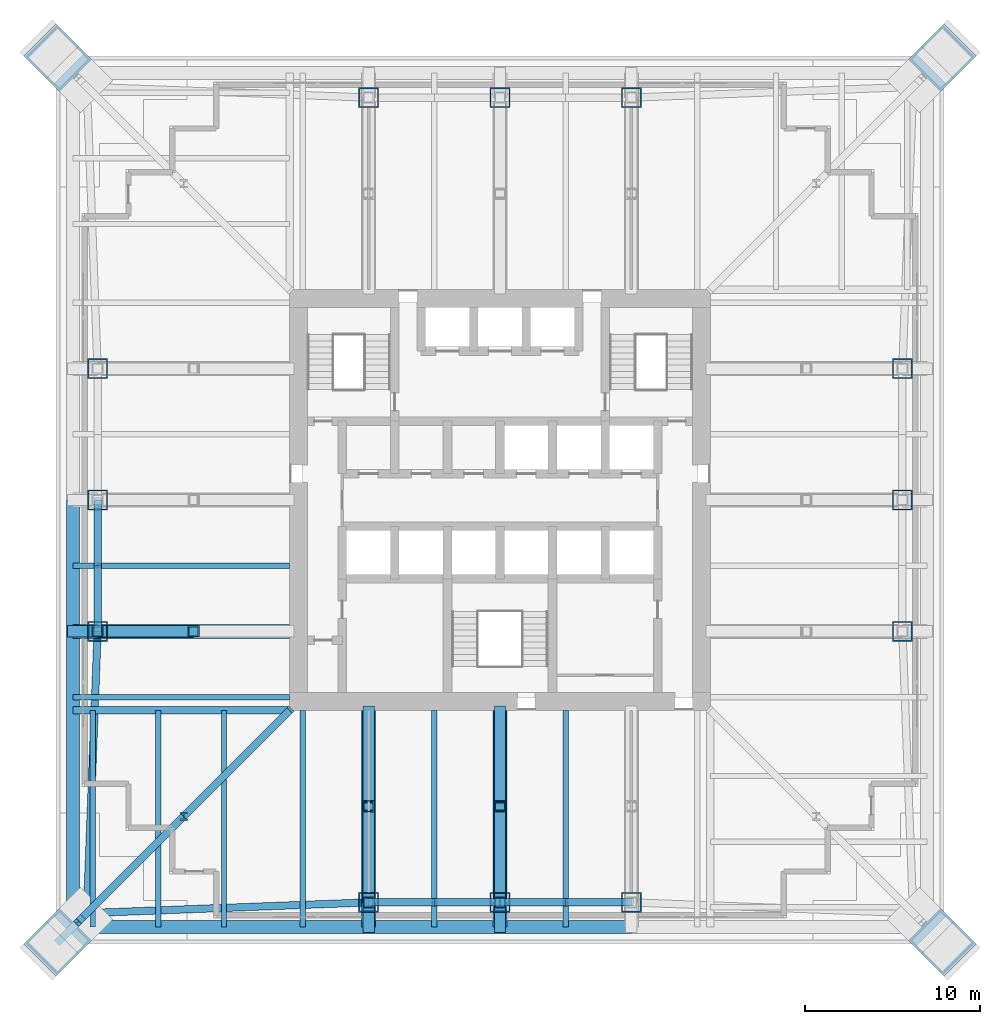
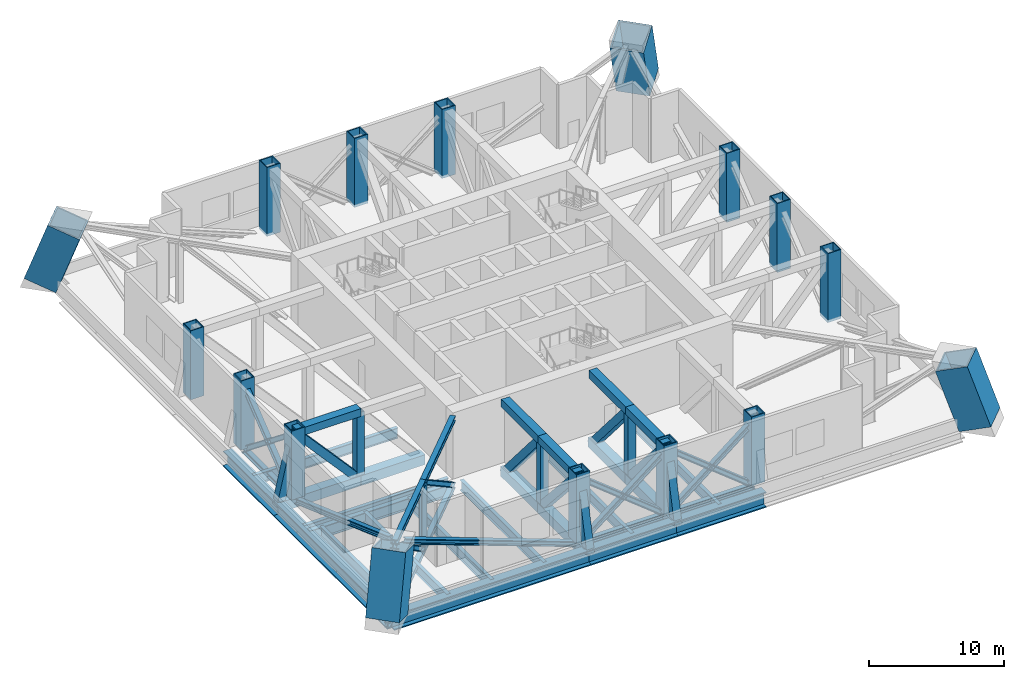
# One storey, part 1 of 10: 49 members, 16 columns, 14 beams.
"""IFC4 building model written with IfcOpenShell, lengths in metres."""

import ifcopenshell
import ifcopenshell.guid

model = None  # the IFC model being written
_history = None  # IfcOwnerHistory: only IFC2X3 demands one
_inside = {}  # id of a spatial element -> (the spatial element, [elements in it])
_under = {}  # id of a project, library or spatial element -> (it, [spatial elements below it])
_declared = {}  # id of a project -> (the project, [libraries it declares])
_typed = {}  # id of a type object -> (the type object, [elements of that type])
_made_of = {}  # id of a material, layer set ... -> (it, [elements and type objects made of it])


def new_model(schema):
    """Start an empty IFC model of exactly this schema.

    Asked for "IFC4X3", IfcOpenShell would pick the latest addendum, in which some entities
    have other attributes; the version numbers below select the first issue.
    IFC2X3 requires an IfcOwnerHistory on every rooted entity: one is made here for all.
    """
    global model, _history
    if schema == "IFC4X3":
        model = ifcopenshell.file(schema_version=(4, 3, 0, 0))
    else:
        model = ifcopenshell.file(schema=schema)
    _inside.clear()
    _under.clear()
    _declared.clear()
    _typed.clear()
    _made_of.clear()
    _history = None
    if model.schema == "IFC2X3":
        org = make("IfcOrganization", Name="unknown")
        user = make(
            "IfcPersonAndOrganization",
            ThePerson=make("IfcPerson", FamilyName="unknown"),
            TheOrganization=org,
        )
        app = make(
            "IfcApplication",
            ApplicationDeveloper=org,
            Version="unknown",
            ApplicationFullName="unknown",
            ApplicationIdentifier="unknown",
        )
        _history = make(
            "IfcOwnerHistory",
            OwningUser=user,
            OwningApplication=app,
            ChangeAction="ADDED",
            CreationDate=0,
        )
    return model


def make(cls, **values):
    """One entity of the class cls with the attributes given. An attribute that is None is left unset."""
    return model.create_entity(
        cls, **{name: value for name, value in values.items() if value is not None}
    )


def rooted(cls, **values):
    """An entity with a GlobalId (a new one), such as an element, a storey or a relation."""
    return make(cls, GlobalId=ifcopenshell.guid.new(), OwnerHistory=_history, **values)


def si_unit(unit_type, name, prefix=None):
    """IfcSIUnit, for example si_unit("LENGTHUNIT", "METRE", prefix="MILLI")."""
    return make("IfcSIUnit", UnitType=unit_type, Prefix=prefix, Name=name)


def assignment(units):
    """IfcUnitAssignment: the units of a project."""
    return None if units is None else make("IfcUnitAssignment", Units=units)


def point(xyz):
    """IfcCartesianPoint."""
    return None if xyz is None else make("IfcCartesianPoint", Coordinates=xyz)


def direction(xyz):
    """IfcDirection."""
    return None if xyz is None else make("IfcDirection", DirectionRatios=xyz)


def frame(location, z_axis=None, x_axis=None):
    """IfcAxis2Placement3D, a coordinate frame: its origin and axes. An axis left out is left unset."""
    return make(
        "IfcAxis2Placement3D",
        Location=point(location),
        Axis=direction(z_axis),
        RefDirection=direction(x_axis),
    )


def frame_2d(location, x_axis=None):
    """IfcAxis2Placement2D, a coordinate frame in the plane: its origin and x axis."""
    return make(
        "IfcAxis2Placement2D", Location=point(location), RefDirection=direction(x_axis)
    )


def origin():
    """The frame at (0, 0, 0) with its axes left unset."""
    return frame((0.0, 0.0, 0.0))


def origin_2d():
    """The frame at (0, 0) in the plane with its x axis left unset."""
    return frame_2d((0.0, 0.0))


def place(relative_to, where):
    """IfcLocalPlacement: puts the frame where relative to a parent placement (None: the world)."""
    return make(
        "IfcLocalPlacement", PlacementRelTo=relative_to, RelativePlacement=where
    )


def context(
    kind, dimensions, precision=None, world=None, true_north=None, identifier=None
):
    """IfcGeometricRepresentationContext, for example the 3D "Model" context."""
    return make(
        "IfcGeometricRepresentationContext",
        ContextIdentifier=identifier,
        ContextType=kind,
        CoordinateSpaceDimension=dimensions,
        Precision=precision,
        WorldCoordinateSystem=world,
        TrueNorth=true_north,
    )


def subcontext(parent, identifier, kind, view, scale=None):
    """IfcGeometricRepresentationSubContext, for example "Body" below "Model"."""
    return make(
        "IfcGeometricRepresentationSubContext",
        ContextIdentifier=identifier,
        ContextType=kind,
        ParentContext=parent,
        TargetScale=scale,
        TargetView=view,
    )


def project(units=None, contexts=None):
    """IfcProject with its units and contexts."""
    return rooted(
        "IfcProject",
        Name="project",
        RepresentationContexts=contexts,
        UnitsInContext=assignment(units),
    )


def spatial(cls, under=None, at=None, **own):
    """A site, building, storey or space (cls), placed at a placement, below another one or the project."""
    s = rooted(cls, ObjectPlacement=at, **own)
    if under is not None:
        _under.setdefault(under.id(), (under, []))[1].append(s)
    return s


def profile(cls, at=None, kind="AREA", **sizes):
    """A parametric profile (cls). Its sizes go by their IFC names, for example OverallWidth=200.0."""
    return make(cls, ProfileType=kind, Position=at, **sizes)


def hollow_rectangle(**sizes):
    """IfcRectangleHollowProfileDef."""
    return profile("IfcRectangleHollowProfileDef", **sizes)


def i_section(**sizes):
    """IfcIShapeProfileDef."""
    return profile("IfcIShapeProfileDef", **sizes)


def extrude(swept, where, along, depth):
    """IfcExtrudedAreaSolid: the profile swept, set in the frame where, extruded along a direction by depth."""
    return make(
        "IfcExtrudedAreaSolid",
        SweptArea=swept,
        Position=where,
        ExtrudedDirection=direction(along),
        Depth=depth,
    )


def clip(a, b, op="DIFFERENCE"):
    """IfcBooleanClippingResult: the solid a cut by the half space b."""
    return make(
        "IfcBooleanClippingResult", Operator=op, FirstOperand=a, SecondOperand=b
    )


def halfspace(plane, agree):
    """IfcHalfSpaceSolid: all space on one side of the plane z = 0 of the frame plane."""
    return make(
        "IfcHalfSpaceSolid",
        BaseSurface=make("IfcPlane", Position=plane),
        AgreementFlag=agree,
    )


def shape(context_of_items, identifier, shape_type, items):
    """IfcShapeRepresentation: the items that make up one representation, for example the "Body"."""
    return make(
        "IfcShapeRepresentation",
        ContextOfItems=context_of_items,
        RepresentationIdentifier=identifier,
        RepresentationType=shape_type,
        Items=items,
    )


def material(Name=None, Category=None):
    """IfcMaterial."""
    return make("IfcMaterial", Name=Name, Category=Category)


def material_profile(
    of_material, cross_section, Name=None, Category=None, Priority=None
):
    """IfcMaterialProfile: a cross section and its material."""
    return make(
        "IfcMaterialProfile",
        Name=Name,
        Material=of_material,
        Profile=cross_section,
        Priority=Priority,
        Category=Category,
    )


def profile_set(profiles, Name=None, composite=None):
    """IfcMaterialProfileSet."""
    return make(
        "IfcMaterialProfileSet",
        Name=Name,
        MaterialProfiles=profiles,
        CompositeProfile=composite,
    )


def made_of(thing, what):
    """Note that an element or type object is made of a material, layer set ...; save() writes the relation."""
    if what is not None:
        _made_of.setdefault(what.id(), (what, []))[1].append(thing)
    return thing


def type_object(cls, material=None, **own):
    """A type object (cls), such as IfcWallType, which elements share."""
    return made_of(rooted(cls, **own), material)


def element(
    cls,
    number,
    at=None,
    inside=None,
    cuts=None,
    type_object=None,
    material=None,
    context=None,
    identifier="Body",
    shape_type=None,
    held_by="IfcProductDefinitionShape",
    body=None,
    shapes=None,
    **own,
):
    """One element of the class cls, such as IfcWall. Its Tag is "e" and its number.

    at: its placement. inside: the storey or other place that contains it. cuts: it is an
    opening in that element (IfcRelVoidsElement). A single representation is given by context,
    identifier, shape_type and body (its items); several are given by shapes. held_by: the class
    of the entity that holds the representations. save() writes the other relations.
    """
    e = rooted(cls, Tag="e%d" % number, ObjectPlacement=at, **own)
    if body is not None:
        shapes = [shape(context, identifier, shape_type, body)]
    if shapes is not None:
        e.Representation = make(held_by, Representations=shapes)
    if inside is not None:
        _inside.setdefault(inside.id(), (inside, []))[1].append(e)
    if cuts is not None:
        rooted(
            "IfcRelVoidsElement", RelatingBuildingElement=cuts, RelatedOpeningElement=e
        )
    if type_object is not None:
        _typed.setdefault(type_object.id(), (type_object, []))[1].append(e)
    return made_of(e, material)


def aggregate(whole, parts):
    """IfcRelAggregates: a whole, such as a stair, and the parts it consists of."""
    return rooted("IfcRelAggregates", RelatingObject=whole, RelatedObjects=parts)


def save(model, path):
    """Write the relations noted so far, then the file.

    IfcRelAggregates (storeys below a building ...), IfcRelContainedInSpatialStructure (elements
    in a storey), IfcRelDefinesByType, IfcRelAssociatesMaterial and IfcRelDeclares: one each for
    every whole, place, type object, material and project.
    """
    for whole, parts in _under.values():
        aggregate(whole, parts)
    for where, things in _inside.values():
        rooted(
            "IfcRelContainedInSpatialStructure",
            RelatedElements=things,
            RelatingStructure=where,
        )
    for kind, things in _typed.values():
        rooted("IfcRelDefinesByType", RelatedObjects=things, RelatingType=kind)
    for what, things in _made_of.values():
        rooted("IfcRelAssociatesMaterial", RelatedObjects=things, RelatingMaterial=what)
    for by, libraries in _declared.values():
        rooted("IfcRelDeclares", RelatingContext=by, RelatedDefinitions=libraries)
    model.write(path)


model = new_model("IFC4")

# Units and contexts
model_context = context("Model", 3, precision=1e-05, world=origin(), true_north=direction((0.0, 1.0)))
body_context = subcontext(model_context, "Body", "Model", "MODEL_VIEW")
ifc_project = project(units=[si_unit("LENGTHUNIT", "METRE"), si_unit("AREAUNIT", "SQUARE_METRE"), si_unit("VOLUMEUNIT", "CUBIC_METRE"), si_unit("PLANEANGLEUNIT", "RADIAN"), si_unit("MASSUNIT", "GRAM", prefix="KILO")], contexts=[model_context])

# Site, building, storey
site_placement = place(None, origin())
site = spatial("IfcSite", under=ifc_project, at=site_placement, CompositionType="ELEMENT")
building_placement = place(site_placement, origin())
building = spatial("IfcBuilding", under=site, at=building_placement, Name="Tarangal Relay Tower", CompositionType="ELEMENT")
storey_placement = place(building_placement, frame((0.0, 0.0, 98.39990234375)))
storey = spatial("IfcBuildingStorey", under=building, at=storey_placement, Name="L19", CompositionType="ELEMENT", Elevation=98.39990234375)

# Columns
ifc_material_1 = material(Name="Steel ASTM A572 Grade 42", Category="steel")
ifc_material_profile_1 = material_profile(ifc_material_1, hollow_rectangle(XDim=2.60009765625, YDim=2.60009765625, WallThickness=0.1298828125, at=origin_2d()), Name="BOX2600X2600X130")
ifc_profile_set_1 = profile_set([ifc_material_profile_1], Name="Steel ASTM A572 Grade 42")
column_type_1 = type_object("IfcColumnType", Name="Mega column BOX2600X2600X130", PredefinedType="COLUMN", material=ifc_profile_set_1)
for number, where, z_axis, x_axis, name in (
    (1, (25.5, 25.5, 0.0), (-0.235702260396, -0.235702260396, 0.942809041582), (0.707106781187, -0.707106781187, 0.0), "Mega column MC2 NE L19"),
    (2, (25.5, -25.5, 0.0), (-0.235702260396, 0.235702260396, 0.942809041582), (-0.707106781187, -0.707106781187, 0.0), "Mega column MC2 SE L19"),
    (3, (-25.5, -25.5, 0.0), (0.235702260396, 0.235702260396, 0.942809041582), (-0.707106781187, 0.707106781187, 0.0), "Mega column MC2 SW L19"),
    (4, (-25.5, 25.5, 0.0), (0.235702260396, -0.235702260396, 0.942809041582), (0.707106781187, 0.707106781187, 0.0), "Mega column MC2 NW L19"),
):
    element("IfcColumn", number, at=place(storey_placement, frame(where, z_axis=z_axis, x_axis=x_axis)), inside=storey, type_object=column_type_1, Name=name, PredefinedType="COLUMN", context=body_context, shape_type="Clipping", body=[
        clip(clip(extrude(hollow_rectangle(XDim=2.60009765625, YDim=2.60009765625, WallThickness=0.1298828125, at=origin_2d()), origin(), (0.0, 0.0, 1.0), 6.364013671875), halfspace(frame((0.0, 0.0, 0.460205078125)), True)), halfspace(frame((0.0, 0.0, 5.90380859375)), False)),
    ])
ifc_material_2 = material(Name="Steel ASTM A572 Grade 50", Category="steel")
ifc_material_profile_2 = material_profile(ifc_material_2, hollow_rectangle(XDim=1.14990234375, YDim=1.14990234375, WallThickness=0.074951171875, at=origin_2d()), Name="BOX1150X1150X75")
ifc_profile_set_2 = profile_set([ifc_material_profile_2], Name="Steel ASTM A572 Grade 50")
column_type_2 = type_object("IfcColumnType", Name="Perimeter column BOX1150X1150X75", PredefinedType="COLUMN", material=ifc_profile_set_2)
for number, where, z_axis, x_axis, name in (
    (5, (-7.5, 22.965087890625, -0.25), (0.0, 0.0, 1.0), (1.0, 0.0, 0.0), "Perimeter column PC3 N L19"),
    (6, (0.0, 22.965087890625, -0.25), (0.0, 0.0, 1.0), (1.0, 0.0, 0.0), "Perimeter column PC3 N L19"),
    (7, (7.5, 22.965087890625, -0.25), (0.0, 0.0, 1.0), (1.0, 0.0, 0.0), "Perimeter column PC3 N L19"),
    (8, (22.965087890625, 7.5, -0.25), (0.0, 0.0, 1.0), (1.0, 0.0, 0.0), "Perimeter column PC3 E L19"),
    (9, (22.965087890625, 0.0, -0.25), (0.0, 0.0, 1.0), (1.0, 0.0, 0.0), "Perimeter column PC3 E L19"),
    (10, (22.965087890625, -7.5, -0.25), (0.0, 0.0, 1.0), (1.0, 0.0, 0.0), "Perimeter column PC3 E L19"),
    (11, (7.5, -22.965087890625, -0.25), (0.0, 0.0, 1.0), (1.0, 0.0, 0.0), "Perimeter column PC3 S L19"),
    (12, (0.0, -22.965087890625, -0.25), (0.0, 0.0, 1.0), (1.0, 0.0, 0.0), "Perimeter column PC3 S L19"),
    (13, (-7.5, -22.965087890625, -0.25), (0.0, 0.0, 1.0), (1.0, 0.0, 0.0), "Perimeter column PC3 S L19"),
    (14, (-22.965087890625, -7.5, -0.25), (0.0, 0.0, 1.0), (1.0, 0.0, 0.0), "Perimeter column PC3 W L19"),
    (15, (-22.965087890625, 0.0, -0.25), (0.0, 0.0, 1.0), (1.0, 0.0, 0.0), "Perimeter column PC3 W L19"),
    (16, (-22.965087890625, 7.5, -0.25), (0.0, 0.0, 1.0), (1.0, 0.0, 0.0), "Perimeter column PC3 W L19"),
):
    element("IfcColumn", number, at=place(storey_placement, frame(where, z_axis=z_axis, x_axis=x_axis)), inside=storey, type_object=column_type_2, Name=name, PredefinedType="COLUMN", context=body_context, shape_type="SweptSolid", body=[
        extrude(hollow_rectangle(XDim=1.14990234375, YDim=1.14990234375, WallThickness=0.074951171875, at=origin_2d()), origin(), (0.0, 0.0, 1.0), 6.25),
    ])

# Members
ifc_material_3 = material(Name="Steel ASTM A992", Category="steel")
ifc_material_profile_3 = material_profile(ifc_material_3, i_section(OverallWidth=0.419189453125, OverallDepth=0.45458984375, WebThickness=0.042236328125, FlangeThickness=0.067626953125, at=origin_2d()), Name="W14X370")
ifc_profile_set_3 = profile_set([ifc_material_profile_3], Name="Steel ASTM A992")
member_type_1 = type_object("IfcMemberType", Name="Belt truss brace W14X370", PredefinedType="BRACE", material=ifc_profile_set_3)
for number, where, z_axis, x_axis, name in (
    (17, (7.5, -22.965087890625, -0.699951171875), (-0.782630390083, 0.0, 0.622486684612), (0.0, -1.0, 0.0), "Belt truss S L19 brace"),
    (18, (3.75, -22.965087890625, 2.28271484375), (-0.782630390083, 0.0, 0.622486684612), (0.0, -1.0, 0.0), "Belt truss S L19 brace"),
    (19, (0.0, -22.965087890625, -0.699951171875), (0.782630390083, 0.0, 0.622486684612), (0.0, 1.0, 0.0), "Belt truss S L19 brace"),
    (20, (3.75, -22.965087890625, 2.28271484375), (0.782630390083, 0.0, 0.622486684612), (0.0, 1.0, 0.0), "Belt truss S L19 brace"),
    (21, (0.0, -22.965087890625, -0.699951171875), (-0.782630390083, 0.0, 0.622486684612), (0.0, -1.0, 0.0), "Belt truss S L19 brace"),
    (22, (-3.75, -22.965087890625, 2.28271484375), (-0.782630390083, 0.0, 0.622486684612), (0.0, -1.0, 0.0), "Belt truss S L19 brace"),
    (23, (-7.5, -22.965087890625, -0.699951171875), (0.782630390083, 0.0, 0.622486684612), (0.0, 1.0, 0.0), "Belt truss S L19 brace"),
    (24, (-3.75, -22.965087890625, 2.28271484375), (0.782630390083, 0.0, 0.622486684612), (0.0, 1.0, 0.0), "Belt truss S L19 brace"),
):
    element("IfcMember", number, at=place(storey_placement, frame(where, z_axis=z_axis, x_axis=x_axis)), inside=storey, type_object=member_type_1, Name=name, PredefinedType="BRACE", context=body_context, shape_type="SweptSolid", body=[
        extrude(i_section(OverallWidth=0.419189453125, OverallDepth=0.45458984375, WebThickness=0.042236328125, FlangeThickness=0.067626953125, at=origin_2d()), origin(), (0.0, 0.0, 1.0), 4.79150390625),
    ])
member_1_placement = place(storey_placement, frame((-7.5, -22.965087890625, -0.699951171875), z_axis=(-0.931502338088, -0.035497655661, 0.36199904776), x_axis=(0.038080321546, -0.999274681512, 0.0)))
element("IfcMember", 25, at=member_1_placement, inside=storey, type_object=member_type_1, Name="Belt truss S L19 end brace", PredefinedType="BRACE", context=body_context, shape_type="SweptSolid", body=[
    extrude(i_section(OverallWidth=0.419189453125, OverallDepth=0.45458984375, WebThickness=0.042236328125, FlangeThickness=0.067626953125, at=origin_2d()), origin(), (0.0, 0.0, 1.0), 16.478759765625),
])
for number, where, z_axis, x_axis, name in (
    (26, (-22.965087890625, -7.5, -0.699951171875), (0.0, 0.782630390083, 0.622486684612), (-1.0, 0.0, 0.0), "Belt truss W L19 brace"),
    (27, (-22.965087890625, -3.75, 2.28271484375), (0.0, 0.782630390083, 0.622486684612), (-1.0, 0.0, 0.0), "Belt truss W L19 brace"),
    (28, (-22.965087890625, 0.0, -0.699951171875), (0.0, -0.782630390083, 0.622486684612), (1.0, 0.0, 0.0), "Belt truss W L19 brace"),
    (29, (-22.965087890625, -3.75, 2.28271484375), (0.0, -0.782630390083, 0.622486684612), (1.0, 0.0, 0.0), "Belt truss W L19 brace"),
):
    element("IfcMember", number, at=place(storey_placement, frame(where, z_axis=z_axis, x_axis=x_axis)), inside=storey, type_object=member_type_1, Name=name, PredefinedType="BRACE", context=body_context, shape_type="SweptSolid", body=[
        extrude(i_section(OverallWidth=0.419189453125, OverallDepth=0.45458984375, WebThickness=0.042236328125, FlangeThickness=0.067626953125, at=origin_2d()), origin(), (0.0, 0.0, 1.0), 4.79150390625),
    ])
member_2_placement = place(storey_placement, frame((-22.965087890625, -7.5, -0.699951171875), z_axis=(-0.035497655661, -0.931502338088, 0.36199904776), x_axis=(0.999274681512, -0.038080321546, 0.0)))
element("IfcMember", 30, at=member_2_placement, inside=storey, type_object=member_type_1, Name="Belt truss W L19 end brace", PredefinedType="BRACE", context=body_context, shape_type="SweptSolid", body=[
    extrude(i_section(OverallWidth=0.419189453125, OverallDepth=0.45458984375, WebThickness=0.042236328125, FlangeThickness=0.067626953125, at=origin_2d()), origin(), (0.0, 0.0, 1.0), 16.478759765625),
])
ifc_material_profile_4 = material_profile(ifc_material_3, i_section(OverallWidth=0.421630859375, OverallDepth=0.46484375, WebThickness=0.044921875, FlangeThickness=0.072509765625, at=origin_2d()), Name="W14X398")
ifc_profile_set_4 = profile_set([ifc_material_profile_4], Name="Steel ASTM A992")
member_type_2 = type_object("IfcMemberType", Name="Belt truss chord W14X398", PredefinedType="CHORD", material=ifc_profile_set_4)
for number, where, z_axis, x_axis, name in (
    (31, (7.5, -22.965087890625, -0.699951171875), (-1.0, 0.0, 0.0), (0.0, -1.0, 0.0), "Belt truss S L19 bottom chord"),
    (32, (0.0, -22.965087890625, -0.699951171875), (-1.0, 0.0, 0.0), (0.0, -1.0, 0.0), "Belt truss S L19 bottom chord"),
    (33, (-22.965087890625, -7.5, -0.699951171875), (0.0, 1.0, 0.0), (-1.0, 0.0, 0.0), "Belt truss W L19 bottom chord"),
):
    element("IfcMember", number, at=place(storey_placement, frame(where, z_axis=z_axis, x_axis=x_axis)), inside=storey, type_object=member_type_2, Name=name, PredefinedType="CHORD", context=body_context, shape_type="SweptSolid", body=[
        extrude(i_section(OverallWidth=0.421630859375, OverallDepth=0.46484375, WebThickness=0.044921875, FlangeThickness=0.072509765625, at=origin_2d()), origin(), (0.0, 0.0, 1.0), 7.5),
    ])

# Beams
ifc_material_profile_5 = material_profile(ifc_material_3, i_section(OverallWidth=0.3046875, OverallDepth=0.911865234375, WebThickness=0.015869140625, FlangeThickness=0.02392578125, at=origin_2d()), Name="W36X150")
ifc_profile_set_5 = profile_set([ifc_material_profile_5], Name="Steel ASTM A992")
beam_type_1 = type_object("IfcBeamType", Name="Corner beam W36X150", PredefinedType="JOIST", material=ifc_profile_set_5)
for number, where, z_axis, x_axis, name in (
    (34, (-15.75, -12.0, -0.705810546875), (0.0, -1.0, 0.0), (1.0, 0.0, 0.0), "Corner beam CB7 S L19"),
    (35, (-19.5, -12.0, -0.705810546875), (0.0, -1.0, 0.0), (1.0, 0.0, 0.0), "Corner beam CB7 S L19"),
    (36, (-23.25, -12.0, -0.705810546875), (0.0, -1.0, 0.0), (1.0, 0.0, 0.0), "Corner beam CB7 S L19"),
):
    element("IfcBeam", number, at=place(storey_placement, frame(where, z_axis=z_axis, x_axis=x_axis)), inside=storey, type_object=beam_type_1, Name=name, PredefinedType="JOIST", context=body_context, shape_type="SweptSolid", body=[
        extrude(i_section(OverallWidth=0.3046875, OverallDepth=0.911865234375, WebThickness=0.015869140625, FlangeThickness=0.02392578125, at=origin_2d()), origin(), (0.0, 0.0, 1.0), 12.364990234375),
    ])
ifc_material_profile_6 = material_profile(ifc_material_3, i_section(OverallWidth=0.40380859375, OverallDepth=1.036376953125, WebThickness=0.031005859375, FlangeThickness=0.0458984375, at=origin_2d()), Name="W40X331")
ifc_profile_set_6 = profile_set([ifc_material_profile_6], Name="Steel ASTM A992")
beam_type_2 = type_object("IfcBeamType", Name="Corner girder W40X331", PredefinedType="BEAM", material=ifc_profile_set_6)
beam_1_placement = place(storey_placement, frame((-12.0, -12.0, -0.76806640625), z_axis=(-1.0, 0.0, 0.0), x_axis=(0.0, -1.0, 0.0)))
element("IfcBeam", 37, at=beam_1_placement, inside=storey, type_object=beam_type_2, Name="Corner girder CG2 S L19", PredefinedType="BEAM", context=body_context, shape_type="SweptSolid", body=[
    extrude(i_section(OverallWidth=0.40380859375, OverallDepth=1.036376953125, WebThickness=0.031005859375, FlangeThickness=0.0458984375, at=origin_2d()), origin(), (0.0, 0.0, 1.0), 12.364990234375),
])
ifc_material_profile_7 = material_profile(ifc_material_2, i_section(OverallWidth=0.75, OverallDepth=1.39990234375, WebThickness=0.030029296875, FlangeThickness=0.10009765625, at=origin_2d()), Name="PG1400X750X100X30")
ifc_profile_set_7 = profile_set([ifc_material_profile_7], Name="Steel ASTM A572 Grade 50")
beam_type_3 = type_object("IfcBeamType", Name="Edge girder PG1400X750X100X30", PredefinedType="SPANDREL", material=ifc_profile_set_7)
for number, where, z_axis, x_axis, name in (
    (38, (7.5, -24.364990234375, -0.949951171875), (-1.0, 0.0, 0.0), (0.0, -1.0, 0.0), "Edge girder EG11 S L19"),
    (39, (0.0, -24.364990234375, -0.949951171875), (-1.0, 0.0, 0.0), (0.0, -1.0, 0.0), "Edge girder EG11 S L19"),
):
    element("IfcBeam", number, at=place(storey_placement, frame(where, z_axis=z_axis, x_axis=x_axis)), inside=storey, type_object=beam_type_3, Name=name, PredefinedType="SPANDREL", context=body_context, shape_type="SweptSolid", body=[
        extrude(i_section(OverallWidth=0.75, OverallDepth=1.39990234375, WebThickness=0.030029296875, FlangeThickness=0.10009765625, at=origin_2d()), origin(), (0.0, 0.0, 1.0), 7.5),
    ])
for number, where, z_axis, x_axis, name in (
    (40, (-7.5, -24.364990234375, -0.949951171875), (-1.0, 0.0, 0.0), (0.0, -1.0, 0.0), "Edge girder EG11 S L19"),
    (41, (-24.364990234375, -24.35009765625, -0.949951171875), (0.0, 1.0, 0.0), (-1.0, 0.0, 0.0), "Edge girder EG11 W L19"),
):
    element("IfcBeam", number, at=place(storey_placement, frame(where, z_axis=z_axis, x_axis=x_axis)), inside=storey, type_object=beam_type_3, Name=name, PredefinedType="SPANDREL", context=body_context, shape_type="SweptSolid", body=[
        extrude(i_section(OverallWidth=0.75, OverallDepth=1.39990234375, WebThickness=0.030029296875, FlangeThickness=0.10009765625, at=origin_2d()), origin(), (0.0, 0.0, 1.0), 16.85009765625),
    ])
beam_2_placement = place(storey_placement, frame((-24.364990234375, -7.5, -0.949951171875), z_axis=(0.0, 1.0, 0.0), x_axis=(-1.0, 0.0, 0.0)))
element("IfcBeam", 42, at=beam_2_placement, inside=storey, type_object=beam_type_3, Name="Edge girder EG11 W L19", PredefinedType="SPANDREL", context=body_context, shape_type="SweptSolid", body=[
    extrude(i_section(OverallWidth=0.75, OverallDepth=1.39990234375, WebThickness=0.030029296875, FlangeThickness=0.10009765625, at=origin_2d()), origin(), (0.0, 0.0, 1.0), 7.5),
])
ifc_material_profile_8 = material_profile(ifc_material_3, i_section(OverallWidth=0.307373046875, OverallDepth=0.927001953125, WebThickness=0.019287109375, FlangeThickness=0.031982421875, at=origin_2d()), Name="W36X194")
ifc_profile_set_8 = profile_set([ifc_material_profile_8], Name="Steel ASTM A992")
beam_type_4 = type_object("IfcBeamType", Name="Floor beam W36X194", PredefinedType="BEAM", material=ifc_profile_set_8)
for number, where, z_axis, x_axis, name in (
    (43, (3.75, -12.0, -0.71337890625), (0.0, -1.0, 0.0), (1.0, 0.0, 0.0), "Floor beam RB6 S L19"),
    (44, (-3.75, -12.0, -0.71337890625), (0.0, -1.0, 0.0), (1.0, 0.0, 0.0), "Floor beam RB6 S L19"),
    (45, (-11.25, -12.0, -0.71337890625), (0.0, -1.0, 0.0), (1.0, 0.0, 0.0), "Floor beam RB6 S L19"),
    (46, (-12.0, -11.25, -0.71337890625), (-1.0, 0.0, 0.0), (0.0, -1.0, 0.0), "Floor beam RB6 W L19"),
    (47, (-12.0, -3.75, -0.71337890625), (-1.0, 0.0, 0.0), (0.0, -1.0, 0.0), "Floor beam RB6 W L19"),
):
    element("IfcBeam", number, at=place(storey_placement, frame(where, z_axis=z_axis, x_axis=x_axis)), inside=storey, type_object=beam_type_4, Name=name, PredefinedType="BEAM", context=body_context, shape_type="SweptSolid", body=[
        extrude(i_section(OverallWidth=0.307373046875, OverallDepth=0.927001953125, WebThickness=0.019287109375, FlangeThickness=0.031982421875, at=origin_2d()), origin(), (0.0, 0.0, 1.0), 12.364990234375),
    ])

# Members
ifc_material_profile_9 = material_profile(ifc_material_3, i_section(OverallWidth=0.4267578125, OverallDepth=0.482666015625, WebThickness=0.05126953125, FlangeThickness=0.08154296875, at=origin_2d()), Name="W14X455")
ifc_profile_set_9 = profile_set([ifc_material_profile_9], Name="Steel ASTM A992")
member_type_3 = type_object("IfcMemberType", Name="Outrigger chord W14X455", PredefinedType="CHORD", material=ifc_profile_set_9)
member_3_placement = place(storey_placement, frame((-12.0, -12.0, -0.4912109375), z_axis=(-0.707106781187, -0.707106781187, 0.0), x_axis=(0.707106781187, -0.707106781187, 0.0)))
element("IfcMember", 48, at=member_3_placement, inside=storey, type_object=member_type_3, Name="Outrigger SW L19 bottom chord", PredefinedType="CHORD", context=body_context, shape_type="SweptSolid", body=[
    extrude(i_section(OverallWidth=0.4267578125, OverallDepth=0.482666015625, WebThickness=0.05126953125, FlangeThickness=0.08154296875, at=origin_2d()), origin(), (0.0, 0.0, 1.0), 8.563232421875),
])
member_4_placement = place(storey_placement, frame((-18.05517578125, -18.05517578125, -0.4912109375), z_axis=(-0.707106781187, -0.707106781187, 0.0), x_axis=(0.707106781187, -0.707106781187, 0.0)))
element("IfcMember", 49, at=member_4_placement, inside=storey, type_object=member_type_3, Name="Outrigger SW L19 bottom chord", PredefinedType="CHORD", context=body_context, shape_type="Clipping", body=[
    clip(extrude(i_section(OverallWidth=0.4267578125, OverallDepth=0.482666015625, WebThickness=0.05126953125, FlangeThickness=0.08154296875, at=origin_2d()), origin(), (0.0, 0.0, 1.0), 10.528564453125), halfspace(frame((0.0, 0.0, 10.23046875)), False)),
])
member_5_placement = place(storey_placement, frame((-12.0, -12.0, 5.558837890625), z_axis=(-0.707106781187, -0.707106781187, 0.0), x_axis=(0.707106781187, -0.707106781187, 0.0)))
element("IfcMember", 50, at=member_5_placement, inside=storey, type_object=member_type_3, Name="Outrigger SW L19 top chord", PredefinedType="CHORD", context=body_context, shape_type="SweptSolid", body=[
    extrude(i_section(OverallWidth=0.4267578125, OverallDepth=0.482666015625, WebThickness=0.05126953125, FlangeThickness=0.08154296875, at=origin_2d()), origin(), (0.0, 0.0, 1.0), 8.563232421875),
])
member_6_placement = place(storey_placement, frame((-18.05517578125, -18.05517578125, 5.558837890625), z_axis=(-0.707106781187, -0.707106781187, 0.0), x_axis=(0.707106781187, -0.707106781187, 0.0)))
element("IfcMember", 51, at=member_6_placement, inside=storey, type_object=member_type_3, Name="Outrigger SW L19 top chord", PredefinedType="CHORD", context=body_context, shape_type="Clipping", body=[
    clip(extrude(i_section(OverallWidth=0.4267578125, OverallDepth=0.482666015625, WebThickness=0.05126953125, FlangeThickness=0.08154296875, at=origin_2d()), origin(), (0.0, 0.0, 1.0), 8.563232421875), halfspace(frame((0.0, 0.0, 8.109130859375)), False)),
])
ifc_material_profile_10 = material_profile(ifc_material_3, i_section(OverallWidth=0.41650390625, OverallDepth=0.444580078125, WebThickness=0.0390625, FlangeThickness=0.062744140625, at=origin_2d()), Name="W14X342")
ifc_profile_set_10 = profile_set([ifc_material_profile_10], Name="Steel ASTM A992")
member_type_4 = type_object("IfcMemberType", Name="Outrigger web W14X342", PredefinedType="STRUT", material=ifc_profile_set_10)
member_7_placement = place(storey_placement, frame((-18.05517578125, -18.05517578125, -0.4912109375), z_axis=(0.0, 0.0, 1.0), x_axis=(1.0, 0.0, 0.0)))
element("IfcMember", 52, at=member_7_placement, inside=storey, type_object=member_type_4, Name="Outrigger SW L19 vertical", PredefinedType="STRUT", context=body_context, shape_type="SweptSolid", body=[
    extrude(i_section(OverallWidth=0.41650390625, OverallDepth=0.444580078125, WebThickness=0.0390625, FlangeThickness=0.062744140625, at=origin_2d()), origin(), (0.0, 0.0, 1.0), 6.050048828125),
])
for number, where, z_axis, x_axis, name in (
    (53, (-12.0, -12.0, -0.4912109375), (-0.577513217792, -0.577513217792, 0.577024233937), (0.707106781187, -0.707106781187, 0.0), "Outrigger SW L19 diagonal"),
    (54, (-18.05517578125, -18.05517578125, -0.4912109375), (-0.577513217792, -0.577513217792, 0.577024233937), (0.707106781187, -0.707106781187, 0.0), "Outrigger SW L19 diagonal"),
):
    element("IfcMember", number, at=place(storey_placement, frame(where, z_axis=z_axis, x_axis=x_axis)), inside=storey, type_object=member_type_4, Name=name, PredefinedType="STRUT", context=body_context, shape_type="SweptSolid", body=[
        extrude(i_section(OverallWidth=0.41650390625, OverallDepth=0.444580078125, WebThickness=0.0390625, FlangeThickness=0.062744140625, at=origin_2d()), origin(), (0.0, 0.0, 1.0), 10.48486328125),
    ])
ifc_material_profile_11 = material_profile(ifc_material_1, hollow_rectangle(XDim=0.800048828125, YDim=0.89990234375, WallThickness=0.125, at=origin_2d()), Name="BOX900X800X125")
ifc_profile_set_11 = profile_set([ifc_material_profile_11], Name="Steel ASTM A572 Grade 42")
member_type_5 = type_object("IfcMemberType", Name="Transfer truss chord BOX900X800X125", PredefinedType="CHORD", material=ifc_profile_set_11)
member_8_placement = place(storey_placement, frame((0.0, -12.0, -0.699951171875), z_axis=(0.0, -1.0, 0.0), x_axis=(1.0, 0.0, 0.0)))
element("IfcMember", 55, at=member_8_placement, inside=storey, type_object=member_type_5, Name="Transfer truss S +0.0 L19 bottom chord", PredefinedType="CHORD", context=body_context, shape_type="SweptSolid", body=[
    extrude(hollow_rectangle(XDim=0.800048828125, YDim=0.89990234375, WallThickness=0.125, at=origin_2d()), origin(), (0.0, 0.0, 1.0), 5.482421875),
])
member_9_placement = place(storey_placement, frame((0.0, -17.482421875, -0.699951171875), z_axis=(0.0, -1.0, 0.0), x_axis=(1.0, 0.0, 0.0)))
element("IfcMember", 56, at=member_9_placement, inside=storey, type_object=member_type_5, Name="Transfer truss S +0.0 L19 bottom chord", PredefinedType="CHORD", context=body_context, shape_type="SweptSolid", body=[
    extrude(hollow_rectangle(XDim=0.800048828125, YDim=0.89990234375, WallThickness=0.125, at=origin_2d()), origin(), (0.0, 0.0, 1.0), 5.482666015625),
])
member_10_placement = place(storey_placement, frame((0.0, -22.965087890625, -0.699951171875), z_axis=(0.0, -1.0, 0.0), x_axis=(1.0, 0.0, 0.0)))
element("IfcMember", 57, at=member_10_placement, inside=storey, type_object=member_type_5, Name="Transfer truss S +0.0 L19 bottom chord", PredefinedType="CHORD", context=body_context, shape_type="SweptSolid", body=[
    extrude(hollow_rectangle(XDim=0.800048828125, YDim=0.89990234375, WallThickness=0.125, at=origin_2d()), origin(), (0.0, 0.0, 1.0), 1.39990234375),
])
member_11_placement = place(storey_placement, frame((-7.5, -12.0, -0.699951171875), z_axis=(0.0, -1.0, 0.0), x_axis=(1.0, 0.0, 0.0)))
element("IfcMember", 58, at=member_11_placement, inside=storey, type_object=member_type_5, Name="Transfer truss S +7.5 L19 bottom chord", PredefinedType="CHORD", context=body_context, shape_type="SweptSolid", body=[
    extrude(hollow_rectangle(XDim=0.800048828125, YDim=0.89990234375, WallThickness=0.125, at=origin_2d()), origin(), (0.0, 0.0, 1.0), 5.482421875),
])
member_12_placement = place(storey_placement, frame((-7.5, -17.482421875, -0.699951171875), z_axis=(0.0, -1.0, 0.0), x_axis=(1.0, 0.0, 0.0)))
element("IfcMember", 59, at=member_12_placement, inside=storey, type_object=member_type_5, Name="Transfer truss S +7.5 L19 bottom chord", PredefinedType="CHORD", context=body_context, shape_type="SweptSolid", body=[
    extrude(hollow_rectangle(XDim=0.800048828125, YDim=0.89990234375, WallThickness=0.125, at=origin_2d()), origin(), (0.0, 0.0, 1.0), 5.482666015625),
])
member_13_placement = place(storey_placement, frame((-7.5, -22.965087890625, -0.699951171875), z_axis=(0.0, -1.0, 0.0), x_axis=(1.0, 0.0, 0.0)))
element("IfcMember", 60, at=member_13_placement, inside=storey, type_object=member_type_5, Name="Transfer truss S +7.5 L19 bottom chord", PredefinedType="CHORD", context=body_context, shape_type="SweptSolid", body=[
    extrude(hollow_rectangle(XDim=0.800048828125, YDim=0.89990234375, WallThickness=0.125, at=origin_2d()), origin(), (0.0, 0.0, 1.0), 1.39990234375),
])
member_14_placement = place(storey_placement, frame((-12.0, -7.5, -0.699951171875), z_axis=(-1.0, 0.0, 0.0), x_axis=(0.0, -1.0, 0.0)))
element("IfcMember", 61, at=member_14_placement, inside=storey, type_object=member_type_5, Name="Transfer truss W -7.5 L19 bottom chord", PredefinedType="CHORD", context=body_context, shape_type="SweptSolid", body=[
    extrude(hollow_rectangle(XDim=0.800048828125, YDim=0.89990234375, WallThickness=0.125, at=origin_2d()), origin(), (0.0, 0.0, 1.0), 5.482421875),
])
member_15_placement = place(storey_placement, frame((-17.482421875, -7.5, -0.699951171875), z_axis=(-1.0, 0.0, 0.0), x_axis=(0.0, -1.0, 0.0)))
element("IfcMember", 62, at=member_15_placement, inside=storey, type_object=member_type_5, Name="Transfer truss W -7.5 L19 bottom chord", PredefinedType="CHORD", context=body_context, shape_type="SweptSolid", body=[
    extrude(hollow_rectangle(XDim=0.800048828125, YDim=0.89990234375, WallThickness=0.125, at=origin_2d()), origin(), (0.0, 0.0, 1.0), 5.482666015625),
])
member_16_placement = place(storey_placement, frame((-22.965087890625, -7.5, -0.699951171875), z_axis=(-1.0, 0.0, 0.0), x_axis=(0.0, -1.0, 0.0)))
element("IfcMember", 63, at=member_16_placement, inside=storey, type_object=member_type_5, Name="Transfer truss W -7.5 L19 bottom chord", PredefinedType="CHORD", context=body_context, shape_type="SweptSolid", body=[
    extrude(hollow_rectangle(XDim=0.800048828125, YDim=0.89990234375, WallThickness=0.125, at=origin_2d()), origin(), (0.0, 0.0, 1.0), 1.39990234375),
])
ifc_material_profile_12 = material_profile(ifc_material_2, hollow_rectangle(XDim=0.699951171875, YDim=0.699951171875, WallThickness=0.074951171875, at=origin_2d()), Name="BOX700X700X75")
ifc_profile_set_12 = profile_set([ifc_material_profile_12], Name="Steel ASTM A572 Grade 50")
member_type_6 = type_object("IfcMemberType", Name="Transfer truss top chord BOX700X700X75", PredefinedType="CHORD", material=ifc_profile_set_12)
member_17_placement = place(storey_placement, frame((0.0, -12.0, 5.4501953125), z_axis=(0.0, -1.0, 0.0), x_axis=(1.0, 0.0, 0.0)))
element("IfcMember", 64, at=member_17_placement, inside=storey, type_object=member_type_6, Name="Transfer truss S +0.0 L19 top chord", PredefinedType="CHORD", context=body_context, shape_type="SweptSolid", body=[
    extrude(hollow_rectangle(XDim=0.699951171875, YDim=0.699951171875, WallThickness=0.074951171875, at=origin_2d()), origin(), (0.0, 0.0, 1.0), 5.482421875),
])
member_18_placement = place(storey_placement, frame((0.0, -17.482421875, 5.4501953125), z_axis=(0.0, -1.0, 0.0), x_axis=(1.0, 0.0, 0.0)))
element("IfcMember", 65, at=member_18_placement, inside=storey, type_object=member_type_6, Name="Transfer truss S +0.0 L19 top chord", PredefinedType="CHORD", context=body_context, shape_type="SweptSolid", body=[
    extrude(hollow_rectangle(XDim=0.699951171875, YDim=0.699951171875, WallThickness=0.074951171875, at=origin_2d()), origin(), (0.0, 0.0, 1.0), 5.482666015625),
])
member_19_placement = place(storey_placement, frame((-7.5, -12.0, 5.4501953125), z_axis=(0.0, -1.0, 0.0), x_axis=(1.0, 0.0, 0.0)))
element("IfcMember", 66, at=member_19_placement, inside=storey, type_object=member_type_6, Name="Transfer truss S +7.5 L19 top chord", PredefinedType="CHORD", context=body_context, shape_type="SweptSolid", body=[
    extrude(hollow_rectangle(XDim=0.699951171875, YDim=0.699951171875, WallThickness=0.074951171875, at=origin_2d()), origin(), (0.0, 0.0, 1.0), 5.482421875),
])
for number, where, z_axis, x_axis, name in (
    (67, (-7.5, -17.482421875, 5.4501953125), (0.0, -1.0, 0.0), (1.0, 0.0, 0.0), "Transfer truss S +7.5 L19 top chord"),
    (68, (-17.482421875, -7.5, 5.4501953125), (-1.0, 0.0, 0.0), (0.0, -1.0, 0.0), "Transfer truss W -7.5 L19 top chord"),
):
    element("IfcMember", number, at=place(storey_placement, frame(where, z_axis=z_axis, x_axis=x_axis)), inside=storey, type_object=member_type_6, Name=name, PredefinedType="CHORD", context=body_context, shape_type="SweptSolid", body=[
        extrude(hollow_rectangle(XDim=0.699951171875, YDim=0.699951171875, WallThickness=0.074951171875, at=origin_2d()), origin(), (0.0, 0.0, 1.0), 5.482666015625),
    ])
ifc_material_profile_13 = material_profile(ifc_material_2, hollow_rectangle(XDim=0.64990234375, YDim=0.64990234375, WallThickness=0.06005859375, at=origin_2d()), Name="BOX650X650X60")
ifc_profile_set_13 = profile_set([ifc_material_profile_13], Name="Steel ASTM A572 Grade 50")
member_type_7 = type_object("IfcMemberType", Name="Transfer truss web BOX650X650X60", PredefinedType="STRUT", material=ifc_profile_set_13)
member_20_placement = place(storey_placement, frame((0.0, -17.482421875, -0.25), z_axis=(0.0, 0.0, 1.0), x_axis=(1.0, 0.0, 0.0)))
element("IfcMember", 69, at=member_20_placement, inside=storey, type_object=member_type_7, Name="Transfer truss S +0.0 L19 vertical", PredefinedType="STRUT", context=body_context, shape_type="SweptSolid", body=[
    extrude(hollow_rectangle(XDim=0.64990234375, YDim=0.64990234375, WallThickness=0.06005859375, at=origin_2d()), origin(), (0.0, 0.0, 1.0), 5.7001953125),
])
member_21_placement = place(storey_placement, frame((0.0, -12.0, -0.963623046875), z_axis=(0.0, -0.649756611165, 0.760142319732), x_axis=(1.0, 0.0, 0.0)))
element("IfcMember", 70, at=member_21_placement, inside=storey, type_object=member_type_7, Name="Transfer truss S +0.0 L19 diagonal", PredefinedType="STRUT", context=body_context, shape_type="SweptSolid", body=[
    extrude(hollow_rectangle(XDim=0.64990234375, YDim=0.64990234375, WallThickness=0.06005859375, at=origin_2d()), origin(), (0.0, 0.0, 1.0), 8.437744140625),
])
member_22_placement = place(storey_placement, frame((0.0, -17.482421875, -0.699951171875), z_axis=(0.0, -0.665439087688, 0.746452155584), x_axis=(1.0, 0.0, 0.0)))
element("IfcMember", 71, at=member_22_placement, inside=storey, type_object=member_type_7, Name="Transfer truss S +0.0 L19 diagonal", PredefinedType="STRUT", context=body_context, shape_type="SweptSolid", body=[
    extrude(hollow_rectangle(XDim=0.64990234375, YDim=0.64990234375, WallThickness=0.06005859375, at=origin_2d()), origin(), (0.0, 0.0, 1.0), 8.2392578125),
])
member_23_placement = place(storey_placement, frame((0.0, -24.364990234375, -0.699951171875), z_axis=(0.0, 0.221943976449, 0.975059419378), x_axis=(-1.0, 0.0, 0.0)))
element("IfcMember", 72, at=member_23_placement, inside=storey, type_object=member_type_7, Name="Transfer truss S +0.0 L19 end diagonal", PredefinedType="STRUT", context=body_context, shape_type="SweptSolid", body=[
    extrude(hollow_rectangle(XDim=0.64990234375, YDim=0.64990234375, WallThickness=0.06005859375, at=origin_2d()), origin(), (0.0, 0.0, 1.0), 6.307373046875),
])
member_24_placement = place(storey_placement, frame((-7.5, -17.482421875, -0.25), z_axis=(0.0, 0.0, 1.0), x_axis=(1.0, 0.0, 0.0)))
element("IfcMember", 73, at=member_24_placement, inside=storey, type_object=member_type_7, Name="Transfer truss S +7.5 L19 vertical", PredefinedType="STRUT", context=body_context, shape_type="SweptSolid", body=[
    extrude(hollow_rectangle(XDim=0.64990234375, YDim=0.64990234375, WallThickness=0.06005859375, at=origin_2d()), origin(), (0.0, 0.0, 1.0), 5.7001953125),
])
member_25_placement = place(storey_placement, frame((-7.5, -12.0, -0.963623046875), z_axis=(0.0, -0.649756611165, 0.760142319732), x_axis=(1.0, 0.0, 0.0)))
element("IfcMember", 74, at=member_25_placement, inside=storey, type_object=member_type_7, Name="Transfer truss S +7.5 L19 diagonal", PredefinedType="STRUT", context=body_context, shape_type="SweptSolid", body=[
    extrude(hollow_rectangle(XDim=0.64990234375, YDim=0.64990234375, WallThickness=0.06005859375, at=origin_2d()), origin(), (0.0, 0.0, 1.0), 8.437744140625),
])
member_26_placement = place(storey_placement, frame((-7.5, -17.482421875, -0.699951171875), z_axis=(0.0, -0.665439087688, 0.746452155584), x_axis=(1.0, 0.0, 0.0)))
element("IfcMember", 75, at=member_26_placement, inside=storey, type_object=member_type_7, Name="Transfer truss S +7.5 L19 diagonal", PredefinedType="STRUT", context=body_context, shape_type="SweptSolid", body=[
    extrude(hollow_rectangle(XDim=0.64990234375, YDim=0.64990234375, WallThickness=0.06005859375, at=origin_2d()), origin(), (0.0, 0.0, 1.0), 8.2392578125),
])
member_27_placement = place(storey_placement, frame((-7.5, -24.364990234375, -0.699951171875), z_axis=(0.0, 0.221943976449, 0.975059419378), x_axis=(-1.0, 0.0, 0.0)))
element("IfcMember", 76, at=member_27_placement, inside=storey, type_object=member_type_7, Name="Transfer truss S +7.5 L19 end diagonal", PredefinedType="STRUT", context=body_context, shape_type="SweptSolid", body=[
    extrude(hollow_rectangle(XDim=0.64990234375, YDim=0.64990234375, WallThickness=0.06005859375, at=origin_2d()), origin(), (0.0, 0.0, 1.0), 6.307373046875),
])
member_28_placement = place(storey_placement, frame((-17.482421875, -7.5, -0.25), z_axis=(0.0, 0.0, 1.0), x_axis=(1.0, 0.0, 0.0)))
element("IfcMember", 77, at=member_28_placement, inside=storey, type_object=member_type_7, Name="Transfer truss W -7.5 L19 vertical", PredefinedType="STRUT", context=body_context, shape_type="SweptSolid", body=[
    extrude(hollow_rectangle(XDim=0.64990234375, YDim=0.64990234375, WallThickness=0.06005859375, at=origin_2d()), origin(), (0.0, 0.0, 1.0), 5.7001953125),
])
member_29_placement = place(storey_placement, frame((-17.482421875, -7.5, -0.699951171875), z_axis=(-0.665439087688, 0.0, 0.746452155584), x_axis=(0.0, -1.0, 0.0)))
element("IfcMember", 78, at=member_29_placement, inside=storey, type_object=member_type_7, Name="Transfer truss W -7.5 L19 diagonal", PredefinedType="STRUT", context=body_context, shape_type="SweptSolid", body=[
    extrude(hollow_rectangle(XDim=0.64990234375, YDim=0.64990234375, WallThickness=0.06005859375, at=origin_2d()), origin(), (0.0, 0.0, 1.0), 8.2392578125),
])
member_30_placement = place(storey_placement, frame((-24.364990234375, -7.5, -0.699951171875), z_axis=(0.221943976449, 0.0, 0.975059419378), x_axis=(0.0, 1.0, 0.0)))
element("IfcMember", 79, at=member_30_placement, inside=storey, type_object=member_type_7, Name="Transfer truss W -7.5 L19 end diagonal", PredefinedType="STRUT", context=body_context, shape_type="SweptSolid", body=[
    extrude(hollow_rectangle(XDim=0.64990234375, YDim=0.64990234375, WallThickness=0.06005859375, at=origin_2d()), origin(), (0.0, 0.0, 1.0), 6.307373046875),
])

save(model, "model.ifc")
